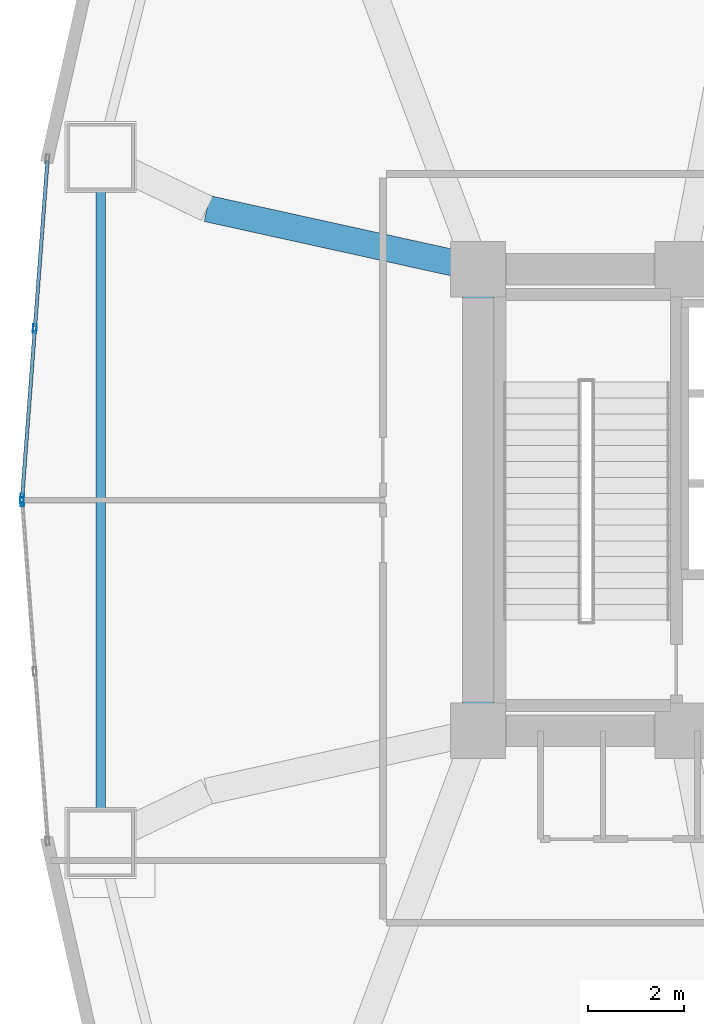
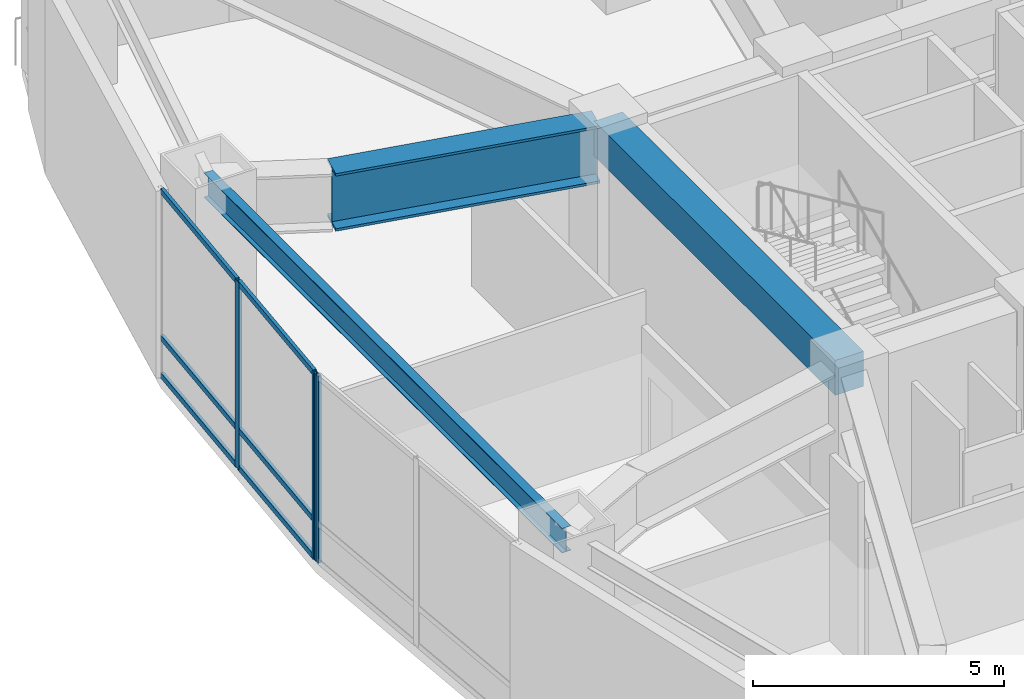
# One storey, part 8 of 19: 9 members, 3 beams, 2 elements without a shape of their own.
"""IFC4 building model written with IfcOpenShell, lengths in metres."""

from ifc_helpers import new_model, si_unit, direction, frame, origin, origin_2d, place, context, subcontext, project, spatial, rectangle, hollow_rectangle, i_section, extrude, material, layer, layer_set, material_profile, profile_set, type_object, element, aggregate, save


model = new_model("IFC4")

# Units and contexts
model_context = context("Model", 3, precision=1e-05, world=origin(), true_north=direction((0.0, 1.0)))
body_context = subcontext(model_context, "Body", "Model", "MODEL_VIEW")
ifc_project = project(units=[si_unit("LENGTHUNIT", "METRE"), si_unit("AREAUNIT", "SQUARE_METRE"), si_unit("VOLUMEUNIT", "CUBIC_METRE"), si_unit("PLANEANGLEUNIT", "RADIAN"), si_unit("MASSUNIT", "GRAM", prefix="KILO")], contexts=[model_context])

# Site, building, storey
site_placement = place(None, origin())
site = spatial("IfcSite", under=ifc_project, at=site_placement, CompositionType="ELEMENT")
building_placement = place(site_placement, origin())
building = spatial("IfcBuilding", under=site, at=building_placement, Name="Menara Vayukalpa", CompositionType="ELEMENT")
storey_placement = place(building_placement, frame((0.0, 0.0, 22.800048828125)))
storey = spatial("IfcBuildingStorey", under=building, at=storey_placement, Name="L04", CompositionType="ELEMENT", Elevation=22.800048828125)

# Beams
ifc_material_1 = material(Name="Concrete C60/75", Category="concrete")
ifc_material_profile_1 = material_profile(ifc_material_1, rectangle(XDim=0.64990234375, YDim=0.85009765625, at=origin_2d()), Name="RC 650x850")
ifc_profile_set_1 = profile_set([ifc_material_profile_1], Name="Concrete C60/75")
beam_type_1 = type_object("IfcBeamType", Name="BM-CB1", PredefinedType="BEAM", material=ifc_profile_set_1)
beam_1_placement = place(storey_placement, frame((17.800048828125, 17.199951171875, 4.125), z_axis=(0.0, 1.0, 0.0), x_axis=(-1.0, 0.0, 0.0)))
element("IfcBeam", 1, at=beam_1_placement, inside=storey, type_object=beam_type_1, Name="L04 Core Tie Beam CBR7", PredefinedType="BEAM", context=body_context, shape_type="SweptSolid", body=[
    extrude(rectangle(XDim=0.64990234375, YDim=0.85009765625, at=origin_2d()), origin(), (0.0, 0.0, 1.0), 9.60009765625),
])
ifc_material_2 = material(Name="Steel S355", Category="steel")
ifc_material_profile_2 = material_profile(ifc_material_2, i_section(OverallWidth=0.199951171875, OverallDepth=0.60009765625, WebThickness=0.010986328125, FlangeThickness=0.01708984375, at=origin_2d()), Name="WF 600x200x11x17")
ifc_profile_set_2 = profile_set([ifc_material_profile_2], Name="Steel S355")
beam_type_2 = type_object("IfcBeamType", Name="BM-SP1", PredefinedType="SPANDREL", material=ifc_profile_set_2)
beam_2_placement = place(storey_placement, frame((9.951904296875, 29.12890625, 4.25), z_axis=(0.0, -1.0, 0.0), x_axis=(1.0, 0.0, 0.0)))
element("IfcBeam", 2, at=beam_2_placement, inside=storey, type_object=beam_type_2, Name="L04 Perimeter Spandrel Beam SP05", PredefinedType="SPANDREL", context=body_context, shape_type="SweptSolid", body=[
    extrude(i_section(OverallWidth=0.199951171875, OverallDepth=0.60009765625, WebThickness=0.010986328125, FlangeThickness=0.01708984375, at=origin_2d()), origin(), (0.0, 0.0, 1.0), 14.2578125),
])
ifc_material_3 = material(Name="Steel S460", Category="steel")
ifc_material_profile_3 = material_profile(ifc_material_3, i_section(OverallWidth=0.550048828125, OverallDepth=1.39990234375, WebThickness=0.031982421875, FlangeThickness=0.06005859375, at=origin_2d()), Name="WG 1400x550x32x60")
ifc_profile_set_3 = profile_set([ifc_material_profile_3], Name="Steel S460")
beam_type_3 = type_object("IfcBeamType", Name="BM-TG1", PredefinedType="BEAM", material=ifc_profile_set_3)
beam_3_placement = place(storey_placement, frame((17.560302734375, 26.87109375, 3.849853515625), z_axis=(-0.976592885771, 0.215096107499, 0.0), x_axis=(-0.215096107499, -0.976592885771, 0.0)))
element("IfcBeam", 3, at=beam_3_placement, inside=storey, type_object=beam_type_3, Name="L04 Radial Transfer Girder Inner 05", PredefinedType="BEAM", context=body_context, shape_type="SweptSolid", body=[
    extrude(i_section(OverallWidth=0.550048828125, OverallDepth=1.39990234375, WebThickness=0.031982421875, FlangeThickness=0.06005859375, at=origin_2d()), origin(), (0.0, 0.0, 1.0), 5.525390625),
])

# Curtain wall, members
ifc_material_4 = material(Name="Anodised Terracotta Aluminium Alloy 6063-T6", Category="masonry")
ifc_layer = layer(ifc_material_4, 0.179931640625)
ifc_layer_set = layer_set([ifc_layer], Name="Anodised Terracotta Aluminium Alloy 6063-T6")
curtain_wall_type = type_object("IfcCurtainWallType", Name="CW-CW1", PredefinedType="USERDEFINED", material=ifc_layer_set)
curtain_wall_1_placement = place(storey_placement, origin())
curtain_wall_1 = element("IfcCurtainWall", 4, at=curtain_wall_1_placement, inside=storey, type_object=curtain_wall_type, Name="L04 Podium Unitised Ribbon Curtain Wall CW1 10", ObjectType="UNITISED", PredefinedType="USERDEFINED")
ifc_material_5 = material(Name="Anodised Terracotta Aluminium Alloy 6063-T6", Category="masonry")
ifc_material_profile_4 = material_profile(ifc_material_5, hollow_rectangle(XDim=0.074951171875, YDim=0.179931640625, WallThickness=0.00390625, at=origin_2d()), Name="ALU 75x180x4")
ifc_profile_set_4 = profile_set([ifc_material_profile_4], Name="Anodised Terracotta Aluminium Alloy 6063-T6")
member_type_1 = type_object("IfcMemberType", Name="CWM-CW1", PredefinedType="MULLION", material=ifc_profile_set_4)
member_1_placement = place(storey_placement, frame((8.584716796875, 25.564453125, 0.0), z_axis=(0.0, 0.0, 1.0), x_axis=(0.997198970825, -0.074794468953, 0.0)))
member_1 = element("IfcMember", 5, at=member_1_placement, type_object=member_type_1, Name="CW1 mullion 2", PredefinedType="MULLION", context=body_context, shape_type="SweptSolid", body=[
    extrude(hollow_rectangle(XDim=0.074951171875, YDim=0.179931640625, WallThickness=0.00390625, at=origin_2d()), origin(), (0.0, 0.0, 1.0), 4.550048828125),
])
member_2_placement = place(storey_placement, frame((8.320068359375, 22.037353515625, 0.0), z_axis=(0.0, 0.0, 1.0), x_axis=(0.997198970825, -0.074794468953, 0.0)))
member_2 = element("IfcMember", 6, at=member_2_placement, type_object=member_type_1, Name="CW1 mullion 3", PredefinedType="MULLION", context=body_context, shape_type="SweptSolid", body=[
    extrude(hollow_rectangle(XDim=0.074951171875, YDim=0.179931640625, WallThickness=0.00390625, at=origin_2d()), origin(), (0.0, 0.0, 1.0), 4.550048828125),
])

# Curtain wall, member
curtain_wall_2_placement = place(storey_placement, origin())
curtain_wall_2 = element("IfcCurtainWall", 7, at=curtain_wall_2_placement, inside=storey, type_object=curtain_wall_type, Name="L04 Podium Unitised Ribbon Curtain Wall CW1 11", ObjectType="UNITISED", PredefinedType="USERDEFINED")
member_3_placement = place(storey_placement, frame((8.320068359375, 21.962646484375, 0.0), z_axis=(0.0, 0.0, 1.0), x_axis=(0.997198970825, 0.074794468953, 0.0)))
member_3 = element("IfcMember", 8, at=member_3_placement, type_object=member_type_1, Name="CW1 mullion 1", PredefinedType="MULLION", context=body_context, shape_type="SweptSolid", body=[
    extrude(hollow_rectangle(XDim=0.074951171875, YDim=0.179931640625, WallThickness=0.00390625, at=origin_2d()), origin(), (0.0, 0.0, 1.0), 4.550048828125),
])
aggregate(curtain_wall_2, [member_3])

# Member
ifc_material_6 = material(Name="Anodised Terracotta Aluminium Alloy 6063-T6", Category="masonry")
ifc_material_profile_5 = material_profile(ifc_material_6, hollow_rectangle(XDim=0.074951171875, YDim=0.135009765625, WallThickness=0.00390625, at=origin_2d()), Name="ALU 75x135x4")
ifc_profile_set_5 = profile_set([ifc_material_profile_5], Name="Anodised Terracotta Aluminium Alloy 6063-T6")
member_type_2 = type_object("IfcMemberType", Name="CWT-CW1", PredefinedType="USERDEFINED", material=ifc_profile_set_5)
member_4_placement = place(storey_placement, frame((8.846435546875, 29.05419921875, 0.037353515625), z_axis=(-0.07481975078, -0.99719707425, 0.0), x_axis=(0.99719707425, -0.07481975078, 0.0)))
member_4 = element("IfcMember", 9, at=member_4_placement, type_object=member_type_2, Name="CW1 transom 1.1", ObjectType="TRANSOM", PredefinedType="USERDEFINED", context=body_context, shape_type="SweptSolid", body=[
    extrude(hollow_rectangle(XDim=0.074951171875, YDim=0.135009765625, WallThickness=0.00390625, at=origin_2d()), origin(), (0.0, 0.0, 1.0), 3.462158203125),
])

member_5_placement = place(storey_placement, frame((8.846435546875, 29.05419921875, 0.949951171875), z_axis=(-0.07481975078, -0.99719707425, 0.0), x_axis=(0.99719707425, -0.07481975078, 0.0)))
member_5 = element("IfcMember", 10, at=member_5_placement, type_object=member_type_2, Name="CW1 transom 1.2", ObjectType="TRANSOM", PredefinedType="USERDEFINED", context=body_context, shape_type="SweptSolid", body=[
    extrude(hollow_rectangle(XDim=0.074951171875, YDim=0.135009765625, WallThickness=0.00390625, at=origin_2d()), origin(), (0.0, 0.0, 1.0), 3.462158203125),
])

member_6_placement = place(storey_placement, frame((8.846435546875, 29.05419921875, 4.512451171875), z_axis=(-0.07481975078, -0.99719707425, 0.0), x_axis=(0.99719707425, -0.07481975078, 0.0)))
member_6 = element("IfcMember", 11, at=member_6_placement, type_object=member_type_2, Name="CW1 transom 1.3", ObjectType="TRANSOM", PredefinedType="USERDEFINED", context=body_context, shape_type="SweptSolid", body=[
    extrude(hollow_rectangle(XDim=0.074951171875, YDim=0.135009765625, WallThickness=0.00390625, at=origin_2d()), origin(), (0.0, 0.0, 1.0), 3.462158203125),
])

member_7_placement = place(storey_placement, frame((8.581787109375, 25.527099609375, 0.037353515625), z_axis=(-0.074749626841, -0.997202333174, 0.0), x_axis=(0.997202333174, -0.074749626841, 0.0)))
member_7 = element("IfcMember", 12, at=member_7_placement, type_object=member_type_2, Name="CW1 transom 2.1", ObjectType="TRANSOM", PredefinedType="USERDEFINED", context=body_context, shape_type="SweptSolid", body=[
    extrude(hollow_rectangle(XDim=0.074951171875, YDim=0.135009765625, WallThickness=0.00390625, at=origin_2d()), origin(), (0.0, 0.0, 1.0), 3.462158203125),
])

member_8_placement = place(storey_placement, frame((8.581787109375, 25.527099609375, 0.949951171875), z_axis=(-0.074749626841, -0.997202333174, 0.0), x_axis=(0.997202333174, -0.074749626841, 0.0)))
member_8 = element("IfcMember", 13, at=member_8_placement, type_object=member_type_2, Name="CW1 transom 2.2", ObjectType="TRANSOM", PredefinedType="USERDEFINED", context=body_context, shape_type="SweptSolid", body=[
    extrude(hollow_rectangle(XDim=0.074951171875, YDim=0.135009765625, WallThickness=0.00390625, at=origin_2d()), origin(), (0.0, 0.0, 1.0), 3.462158203125),
])

member_9_placement = place(storey_placement, frame((8.581787109375, 25.527099609375, 4.512451171875), z_axis=(-0.074749626841, -0.997202333174, 0.0), x_axis=(0.997202333174, -0.074749626841, 0.0)))
member_9 = element("IfcMember", 14, at=member_9_placement, type_object=member_type_2, Name="CW1 transom 2.3", ObjectType="TRANSOM", PredefinedType="USERDEFINED", context=body_context, shape_type="SweptSolid", body=[
    extrude(hollow_rectangle(XDim=0.074951171875, YDim=0.135009765625, WallThickness=0.00390625, at=origin_2d()), origin(), (0.0, 0.0, 1.0), 3.462158203125),
])

aggregate(curtain_wall_1, [member_1, member_2, member_4, member_5, member_6, member_7, member_8, member_9])

save(model, "model.ifc")
